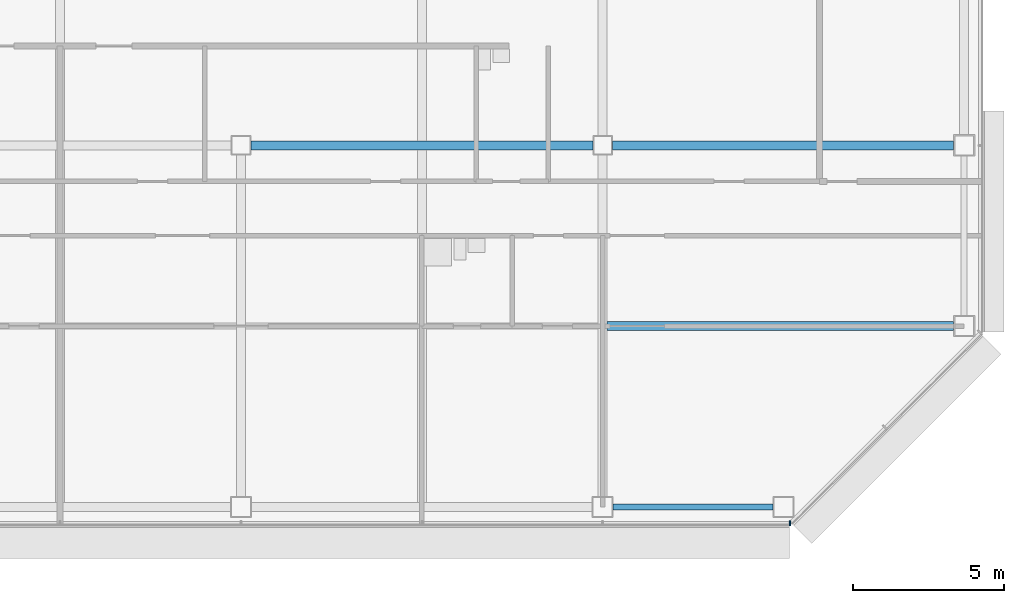
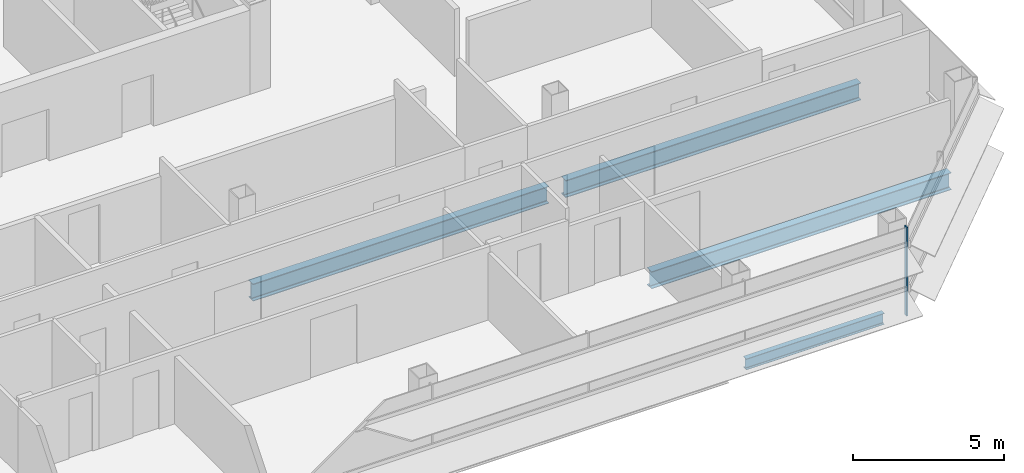
# One storey, part 9 of 24: 4 beams, 1 member, 1 element without a shape of its own.
"""IFC4 building model written with IfcOpenShell, lengths in metres."""

from ifc_helpers import new_model, si_unit, direction, frame, origin, origin_2d, place, context, subcontext, project, spatial, rectangle, i_section, extrude, material, material_profile, profile_set, type_object, element, aggregate, save


model = new_model("IFC4")

# Units and contexts
model_context = context("Model", 3, precision=1e-05, world=origin(), true_north=direction((0.0, 1.0)))
body_context = subcontext(model_context, "Body", "Model", "MODEL_VIEW")
ifc_project = project(units=[si_unit("LENGTHUNIT", "METRE"), si_unit("AREAUNIT", "SQUARE_METRE"), si_unit("VOLUMEUNIT", "CUBIC_METRE"), si_unit("PLANEANGLEUNIT", "RADIAN"), si_unit("MASSUNIT", "GRAM", prefix="KILO")], contexts=[model_context])

# Site, building, storey
site_placement = place(None, origin())
site = spatial("IfcSite", under=ifc_project, at=site_placement, CompositionType="ELEMENT")
building_placement = place(site_placement, origin())
building = spatial("IfcBuilding", under=site, at=building_placement, Name="Sorahane Residences", CompositionType="ELEMENT")
storey_placement = place(building_placement, frame((0.0, 0.0, 170.800048828125)))
storey = spatial("IfcBuildingStorey", under=building, at=storey_placement, Name="L39", CompositionType="ELEMENT", Elevation=170.800048828125)

# Curtain wall, member
ifc_material_1 = material(Name="Dark low-e glass and black anodised aluminium", Category="aluminium")
curtain_wall_type = type_object("IfcCurtainWallType", Name="Curtain wall CW-1 Typical unitised wall", PredefinedType="NOTDEFINED", material=ifc_material_1)
curtain_wall_placement = place(storey_placement, origin())
curtain_wall = element("IfcCurtainWall", 1, at=curtain_wall_placement, inside=storey, type_object=curtain_wall_type, Name="CW-1 curtain wall L39 S1", PredefinedType="NOTDEFINED")
ifc_material_2 = material(Name="Black anodised aluminium", Category="aluminium")
ifc_material_profile_1 = material_profile(ifc_material_2, rectangle(XDim=0.159912109375, YDim=0.050048828125, at=origin_2d()), Name="Curtain wall mullion CW-1 black anodised aluminium 50x160")
ifc_profile_set_1 = profile_set([ifc_material_profile_1], Name="Black anodised aluminium")
member_type = type_object("IfcMemberType", Name="Curtain wall mullion CW-1 black anodised aluminium 50x160", PredefinedType="MULLION", material=ifc_profile_set_1)
member_placement = place(storey_placement, frame((54.2236328125, -0.5400390625, -0.179931640625), z_axis=(0.0, 0.0, 1.0), x_axis=(0.0, -1.0, 0.0)))
member = element("IfcMember", 2, at=member_placement, type_object=member_type, Name="CW-1 mullion L39 S1.10", PredefinedType="MULLION", context=body_context, shape_type="SweptSolid", body=[
    extrude(rectangle(XDim=0.159912109375, YDim=0.050048828125, at=origin_2d()), origin(), (0.0, 0.0, 1.0), 3.599853515625),
])
aggregate(curtain_wall, [member])

# Beams
ifc_material_3 = material(Name="Steel Q355B", Category="steel")
ifc_material_profile_2 = material_profile(ifc_material_3, i_section(OverallWidth=0.199951171875, OverallDepth=0.449951171875, WebThickness=0.009033203125, FlangeThickness=0.013916015625, FilletRadius=0.02001953125, at=origin_2d()), Name="HN 450x200x9x14")
ifc_profile_set_2 = profile_set([ifc_material_profile_2], Name="Steel Q355B")
beam_type_1 = type_object("IfcBeamType", Name="Steel floor beam HN 450x200x9x14 Q355B", PredefinedType="BEAM", material=ifc_profile_set_2)
beam_1_placement = place(storey_placement, frame((48.35009765625, 0.0, -0.405029296875), z_axis=(1.0, 0.0, 0.0), x_axis=(0.0, 1.0, 0.0)))
element("IfcBeam", 3, at=beam_1_placement, inside=storey, type_object=beam_type_1, Name="Beam L39 004", PredefinedType="BEAM", context=body_context, shape_type="SweptSolid", body=[
    extrude(i_section(OverallWidth=0.199951171875, OverallDepth=0.449951171875, WebThickness=0.009033203125, FlangeThickness=0.013916015625, FilletRadius=0.02001953125, at=origin_2d()), origin(), (0.0, 0.0, 1.0), 5.2998046875),
])
ifc_material_4 = material(Name="Steel Q355B", Category="steel")
ifc_material_profile_3 = material_profile(ifc_material_4, i_section(OverallWidth=0.300048828125, OverallDepth=0.699951171875, WebThickness=0.012939453125, FlangeThickness=0.02392578125, FilletRadius=0.028076171875, at=origin_2d()), Name="HN 700x300x13x24")
ifc_profile_set_3 = profile_set([ifc_material_profile_3], Name="Steel Q355B")
beam_type_2 = type_object("IfcBeamType", Name="Steel floor beam HN 700x300x13x24 Q355B", PredefinedType="BEAM", material=ifc_profile_set_3)
beam_2_placement = place(storey_placement, frame((36.324951171875, 12.0, -0.530029296875), z_axis=(1.0, 0.0, 0.0), x_axis=(0.0, 1.0, 0.0)))
element("IfcBeam", 4, at=beam_2_placement, inside=storey, type_object=beam_type_2, Name="Beam L39 009", PredefinedType="BEAM", context=body_context, shape_type="SweptSolid", body=[
    extrude(i_section(OverallWidth=0.300048828125, OverallDepth=0.699951171875, WebThickness=0.012939453125, FlangeThickness=0.02392578125, FilletRadius=0.028076171875, at=origin_2d()), origin(), (0.0, 0.0, 1.0), 11.35009765625),
])
beam_3_placement = place(storey_placement, frame((48.324951171875, 12.0, -0.530029296875), z_axis=(1.0, 0.0, 0.0), x_axis=(0.0, 1.0, 0.0)))
element("IfcBeam", 5, at=beam_3_placement, inside=storey, type_object=beam_type_2, Name="Beam L39 010", PredefinedType="BEAM", context=body_context, shape_type="SweptSolid", body=[
    extrude(i_section(OverallWidth=0.300048828125, OverallDepth=0.699951171875, WebThickness=0.012939453125, FlangeThickness=0.02392578125, FilletRadius=0.028076171875, at=origin_2d()), origin(), (0.0, 0.0, 1.0), 11.324951171875),
])
beam_4_placement = place(storey_placement, frame((48.14990234375, 6.0, -0.530029296875), z_axis=(1.0, 0.0, 0.0), x_axis=(0.0, 1.0, 0.0)))
element("IfcBeam", 6, at=beam_4_placement, inside=storey, type_object=beam_type_2, Name="Beam L39 077", PredefinedType="BEAM", context=body_context, shape_type="SweptSolid", body=[
    extrude(i_section(OverallWidth=0.300048828125, OverallDepth=0.699951171875, WebThickness=0.012939453125, FlangeThickness=0.02392578125, FilletRadius=0.028076171875, at=origin_2d()), origin(), (0.0, 0.0, 1.0), 11.5),
])

save(model, "model.ifc")
